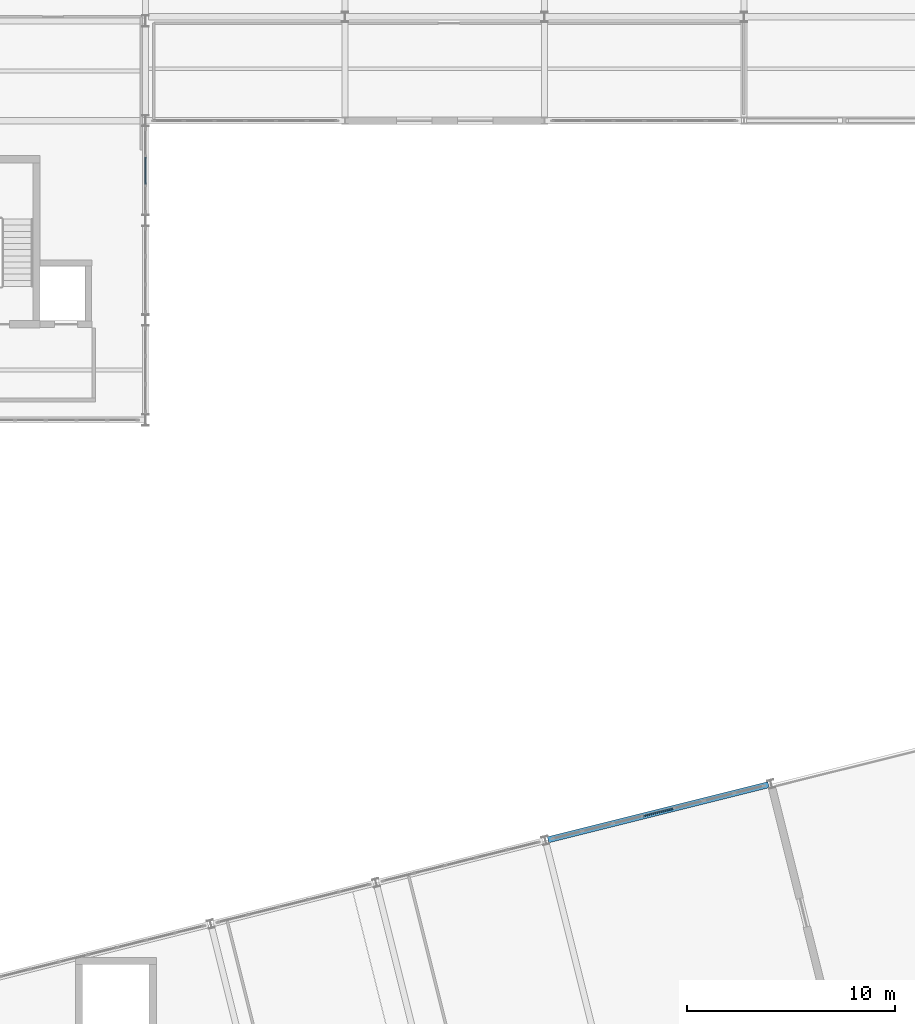
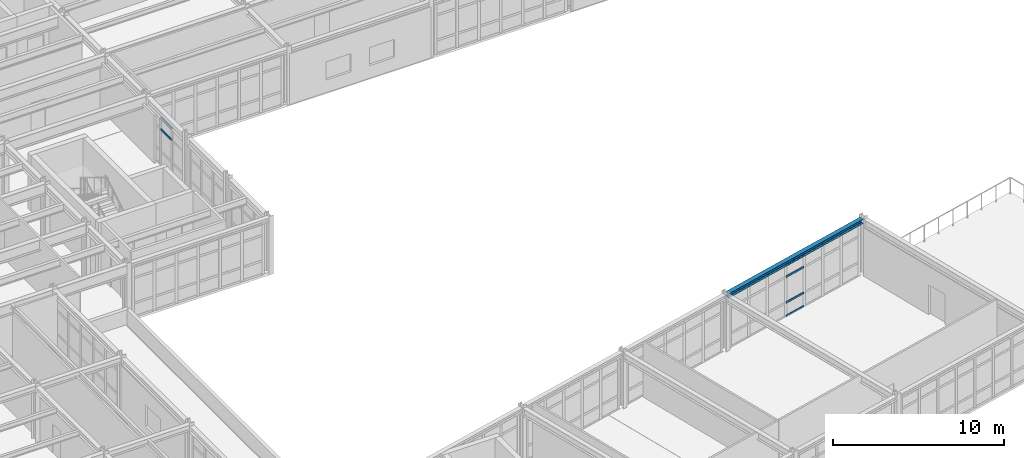
# One storey, part 24 of 64: 6 members, 1 beam, 2 elements without a shape of their own.
"""IFC4 building model written with IfcOpenShell, lengths in metres."""

from ifc_helpers import new_model, si_unit, direction, frame, origin, origin_2d, place, context, subcontext, project, spatial, rectangle, i_section, extrude, material, layer, layer_set, material_profile, profile_set, type_object, element, aggregate, save


model = new_model("IFC4")

# Units and contexts
model_context = context("Model", 3, precision=1e-05, world=origin(), true_north=direction((0.0, 1.0)))
body_context = subcontext(model_context, "Body", "Model", "MODEL_VIEW")
ifc_project = project(units=[si_unit("LENGTHUNIT", "METRE"), si_unit("AREAUNIT", "SQUARE_METRE"), si_unit("VOLUMEUNIT", "CUBIC_METRE"), si_unit("PLANEANGLEUNIT", "RADIAN"), si_unit("MASSUNIT", "GRAM", prefix="KILO")], contexts=[model_context])

# Site, building, storey
site_placement = place(None, origin())
site = spatial("IfcSite", under=ifc_project, at=site_placement, CompositionType="ELEMENT")
building_placement = place(site_placement, origin())
building = spatial("IfcBuilding", under=site, at=building_placement, Name="Nordkorset Police Headquarters", CompositionType="ELEMENT")
storey_placement = place(building_placement, frame((0.0, 0.0, 17.85009765625)))
storey = spatial("IfcBuildingStorey", under=building, at=storey_placement, Name="L04", CompositionType="ELEMENT", Elevation=17.85009765625)

# Curtain wall, members
ifc_material_1 = material(Name="Aluminium alloy AW-6060", Category="aluminium")
ifc_layer_1 = layer(ifc_material_1, 0.179931640625, Name="Aluminium alloy AW-6060")
ifc_layer_set_1 = layer_set([ifc_layer_1], Name="Aluminium alloy AW-6060")
curtain_wall_type_1 = type_object("IfcCurtainWallType", Name="CW_Unit_408x343", PredefinedType="USERDEFINED", material=ifc_layer_set_1)
curtain_wall_1_placement = place(storey_placement, origin())
curtain_wall_1 = element("IfcCurtainWall", 1, at=curtain_wall_1_placement, inside=storey, type_object=curtain_wall_type_1, Name="Unitised Curtain Wall L04 V1E-2", ObjectType="UNITISED CURTAIN WALL", PredefinedType="USERDEFINED")
ifc_material_2 = material(Name="Aluminium alloy AW-6060", Category="aluminium")
ifc_material_profile_1 = material_profile(ifc_material_2, rectangle(XDim=0.06494140625, YDim=0.139892578125, at=origin_2d()), Name="ALU TRAN 65x140")
ifc_profile_set_1 = profile_set([ifc_material_profile_1], Name="Aluminium alloy AW-6060")
member_type = type_object("IfcMemberType", Name="CW_Transom_65x140", PredefinedType="USERDEFINED", material=ifc_profile_set_1)
member_1_placement = place(storey_placement, frame((28.800048828125, 94.552490234375, 2.579833984375), z_axis=(0.0, 1.0, 0.0), x_axis=(-1.0, 0.0, 0.0)))
member_1 = element("IfcMember", 2, at=member_1_placement, type_object=member_type, Name="CW-89 transom 2.3", ObjectType="TRANSOM", PredefinedType="USERDEFINED", context=body_context, shape_type="SweptSolid", body=[
    extrude(rectangle(XDim=0.06494140625, YDim=0.139892578125, at=origin_2d()), origin(), (0.0, 0.0, 1.0), 1.294921875),
])
member_2_placement = place(storey_placement, frame((28.800048828125, 94.552490234375, 3.3974609375), z_axis=(0.0, 1.0, 0.0), x_axis=(-1.0, 0.0, 0.0)))
member_2 = element("IfcMember", 3, at=member_2_placement, type_object=member_type, Name="CW-89 transom 2.4", ObjectType="TRANSOM", PredefinedType="USERDEFINED", context=body_context, shape_type="SweptSolid", body=[
    extrude(rectangle(XDim=0.06494140625, YDim=0.139892578125, at=origin_2d()), origin(), (0.0, 0.0, 1.0), 1.294921875),
])
aggregate(curtain_wall_1, [member_1, member_2])

ifc_material_3 = material(Name="Aluminium alloy AW-6060", Category="aluminium")
ifc_layer_2 = layer(ifc_material_3, 0.179931640625, Name="Aluminium alloy AW-6060")
ifc_layer_set_2 = layer_set([ifc_layer_2], Name="Aluminium alloy AW-6060")
curtain_wall_type_2 = type_object("IfcCurtainWallType", Name="CW_Unit_1056x369", PredefinedType="USERDEFINED", material=ifc_layer_set_2)
curtain_wall_2_placement = place(storey_placement, origin())
curtain_wall_2 = element("IfcCurtainWall", 4, at=curtain_wall_2_placement, inside=storey, type_object=curtain_wall_type_2, Name="Unitised Curtain Wall L04 V4N-3", ObjectType="UNITISED CURTAIN WALL", PredefinedType="USERDEFINED")
member_3_placement = place(storey_placement, frame((52.7802734375, 64.13818359375, 0.032470703125), z_axis=(0.970142500145, 0.242535625036, 0.0), x_axis=(-0.242535625036, 0.970142500145, 0.0)))
member_3 = element("IfcMember", 5, at=member_3_placement, type_object=member_type, Name="CW-97 transom 4.1", ObjectType="TRANSOM", PredefinedType="USERDEFINED", context=body_context, shape_type="SweptSolid", body=[
    extrude(rectangle(XDim=0.06494140625, YDim=0.139892578125, at=origin_2d()), origin(), (0.0, 0.0, 1.0), 1.443603515625),
])
member_4_placement = place(storey_placement, frame((52.7802734375, 64.13818359375, 1.0), z_axis=(0.970142500145, 0.242535625036, 0.0), x_axis=(-0.242535625036, 0.970142500145, 0.0)))
member_4 = element("IfcMember", 6, at=member_4_placement, type_object=member_type, Name="CW-97 transom 4.2", ObjectType="TRANSOM", PredefinedType="USERDEFINED", context=body_context, shape_type="SweptSolid", body=[
    extrude(rectangle(XDim=0.06494140625, YDim=0.139892578125, at=origin_2d()), origin(), (0.0, 0.0, 1.0), 1.443603515625),
])
member_5_placement = place(storey_placement, frame((52.7802734375, 64.13818359375, 2.8408203125), z_axis=(0.970142500145, 0.242535625036, 0.0), x_axis=(-0.242535625036, 0.970142500145, 0.0)))
member_5 = element("IfcMember", 7, at=member_5_placement, type_object=member_type, Name="CW-97 transom 4.3", ObjectType="TRANSOM", PredefinedType="USERDEFINED", context=body_context, shape_type="SweptSolid", body=[
    extrude(rectangle(XDim=0.06494140625, YDim=0.139892578125, at=origin_2d()), origin(), (0.0, 0.0, 1.0), 1.443603515625),
])
member_6_placement = place(storey_placement, frame((52.7802734375, 64.13818359375, 3.658447265625), z_axis=(0.970142500145, 0.242535625036, 0.0), x_axis=(-0.242535625036, 0.970142500145, 0.0)))
member_6 = element("IfcMember", 8, at=member_6_placement, type_object=member_type, Name="CW-97 transom 4.4", ObjectType="TRANSOM", PredefinedType="USERDEFINED", context=body_context, shape_type="SweptSolid", body=[
    extrude(rectangle(XDim=0.06494140625, YDim=0.139892578125, at=origin_2d()), origin(), (0.0, 0.0, 1.0), 1.443603515625),
])
aggregate(curtain_wall_2, [member_3, member_4, member_5, member_6])

# Beam
ifc_material_4 = material(Name="Steel S355J2", Category="steel")
ifc_material_profile_2 = material_profile(ifc_material_4, i_section(OverallWidth=0.300048828125, OverallDepth=0.31005859375, WebThickness=0.009033203125, FlangeThickness=0.015380859375, FilletRadius=0.027099609375, at=origin_2d()), Name="HEA 320")
ifc_profile_set_2 = profile_set([ifc_material_profile_2], Name="Steel S355J2")
beam_type = type_object("IfcBeamType", Name="Spandrel_HEA_320", PredefinedType="SPANDREL", material=ifc_profile_set_2)
beam_placement = place(storey_placement, frame((48.173828125, 62.986572265625, 3.865966796875), z_axis=(0.970142500145, 0.242535625036, 0.0), x_axis=(-0.242535625036, 0.970142500145, 0.0)))
element("IfcBeam", 9, at=beam_placement, inside=storey, type_object=beam_type, Name="Splayed Wing Spandrel L04 3-1", PredefinedType="SPANDREL", context=body_context, shape_type="SweptSolid", body=[
    extrude(i_section(OverallWidth=0.300048828125, OverallDepth=0.31005859375, WebThickness=0.009033203125, FlangeThickness=0.015380859375, FilletRadius=0.027099609375, at=origin_2d()), origin(), (0.0, 0.0, 1.0), 10.93994140625),
])

save(model, "model.ifc")
